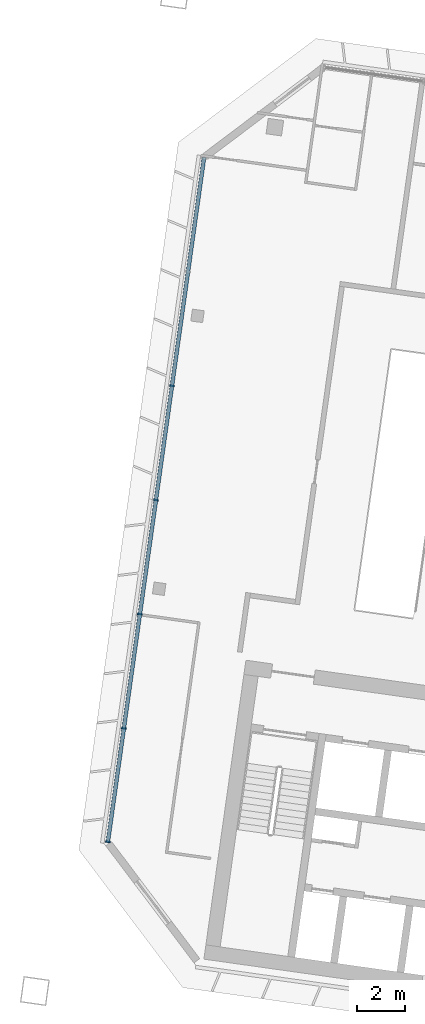
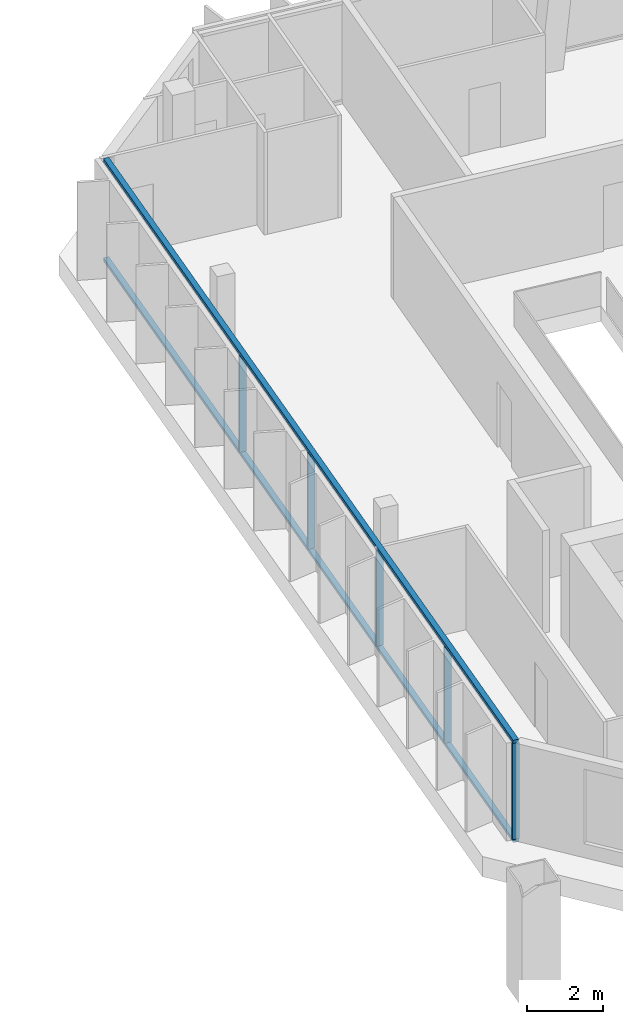
# One storey, part 2 of 25: 7 members, 1 element without a shape of its own.
"""IFC4 building model written with IfcOpenShell, lengths in metres."""

from ifc_helpers import new_model, si_unit, direction, frame, origin, origin_2d, place, context, subcontext, project, spatial, rectangle, extrude, material, material_profile, profile_set, type_object, element, aggregate, save


model = new_model("IFC4")

# Units and contexts
model_context = context("Model", 3, precision=1e-05, world=origin(), true_north=direction((0.0, 1.0)))
body_context = subcontext(model_context, "Body", "Model", "MODEL_VIEW")
ifc_project = project(units=[si_unit("LENGTHUNIT", "METRE"), si_unit("AREAUNIT", "SQUARE_METRE"), si_unit("VOLUMEUNIT", "CUBIC_METRE"), si_unit("PLANEANGLEUNIT", "RADIAN"), si_unit("MASSUNIT", "GRAM", prefix="KILO")], contexts=[model_context])

# Site, building, storey
site_placement = place(None, origin())
site = spatial("IfcSite", under=ifc_project, at=site_placement, CompositionType="ELEMENT")
building_placement = place(site_placement, origin())
building = spatial("IfcBuilding", under=site, at=building_placement, Name="Mirante Cascada Hotel Towers", CompositionType="ELEMENT")
storey_placement = place(building_placement, frame((0.0, 0.0, 266.0)))
storey = spatial("IfcBuildingStorey", under=building, at=storey_placement, Name="L64", CompositionType="ELEMENT", Elevation=266.0)

# Curtain wall, members
ifc_material_1 = material(Name="Aluminium mullion and transom frame with clear laminated glass", Category="aluminium")
curtain_wall_type = type_object("IfcCurtainWallType", Name="End ribbon curtain wall ECW2", PredefinedType="NOTDEFINED", material=ifc_material_1)
curtain_wall_placement = place(storey_placement, origin())
curtain_wall = element("IfcCurtainWall", 1, at=curtain_wall_placement, inside=storey, type_object=curtain_wall_type, Name="Outer end wall T1 L64", PredefinedType="NOTDEFINED")
ifc_material_2 = material(Name="Anodised aluminium extrusion", Category="aluminium")
ifc_material_profile_1 = material_profile(ifc_material_2, rectangle(XDim=0.2, YDim=0.065, at=origin_2d()), Name="ECW2 MULLION 65x200")
ifc_profile_set_1 = profile_set([ifc_material_profile_1], Name="Anodised aluminium extrusion")
member_type_1 = type_object("IfcMemberType", Name="ECW2 mullion 65x200", PredefinedType="MULLION", material=ifc_profile_set_1)
member_1_placement = place(storey_placement, frame((-58.5935, -12.5284, 0.1), z_axis=(0.0, 0.0, 1.0), x_axis=(-0.9902681, 0.1391731, 0.0)))
member_1 = element("IfcMember", 2, at=member_1_placement, type_object=member_type_1, Name="ECW2 mullion 1", PredefinedType="MULLION", context=body_context, shape_type="SweptSolid", body=[
    extrude(rectangle(XDim=0.2, YDim=0.065, at=origin_2d()), origin(), (0.0, 0.0, 1.0), 3.1),
])
member_2_placement = place(storey_placement, frame((-57.9283, -7.7948, 0.1), z_axis=(0.0, 0.0, 1.0), x_axis=(-0.9902681, 0.1391731, 0.0)))
member_2 = element("IfcMember", 3, at=member_2_placement, type_object=member_type_1, Name="ECW2 mullion 2", PredefinedType="MULLION", context=body_context, shape_type="SweptSolid", body=[
    extrude(rectangle(XDim=0.2, YDim=0.065, at=origin_2d()), origin(), (0.0, 0.0, 1.0), 3.1),
])
member_3_placement = place(storey_placement, frame((-57.2585, -3.029, 0.1), z_axis=(0.0, 0.0, 1.0), x_axis=(-0.9902681, 0.1391731, 0.0)))
member_3 = element("IfcMember", 4, at=member_3_placement, type_object=member_type_1, Name="ECW2 mullion 3", PredefinedType="MULLION", context=body_context, shape_type="SweptSolid", body=[
    extrude(rectangle(XDim=0.2, YDim=0.065, at=origin_2d()), origin(), (0.0, 0.0, 1.0), 3.1),
])
member_4_placement = place(storey_placement, frame((-56.5887, 1.7368, 0.1), z_axis=(0.0, 0.0, 1.0), x_axis=(-0.9902681, 0.1391731, 0.0)))
member_4 = element("IfcMember", 5, at=member_4_placement, type_object=member_type_1, Name="ECW2 mullion 4", PredefinedType="MULLION", context=body_context, shape_type="SweptSolid", body=[
    extrude(rectangle(XDim=0.2, YDim=0.065, at=origin_2d()), origin(), (0.0, 0.0, 1.0), 3.1),
])
member_5_placement = place(storey_placement, frame((-55.9189, 6.5026, 0.1), z_axis=(0.0, 0.0, 1.0), x_axis=(-0.9902681, 0.1391731, 0.0)))
member_5 = element("IfcMember", 6, at=member_5_placement, type_object=member_type_1, Name="ECW2 mullion 5", PredefinedType="MULLION", context=body_context, shape_type="SweptSolid", body=[
    extrude(rectangle(XDim=0.2, YDim=0.065, at=origin_2d()), origin(), (0.0, 0.0, 1.0), 3.1),
])
ifc_material_3 = material(Name="Anodised aluminium extrusion", Category="aluminium")
ifc_material_profile_2 = material_profile(ifc_material_3, rectangle(XDim=0.16, YDim=0.1, at=origin_2d()), Name="ECW2 TRANSOM 100x160")
ifc_profile_set_2 = profile_set([ifc_material_profile_2], Name="Anodised aluminium extrusion")
member_type_2 = type_object("IfcMemberType", Name="ECW2 transom 100x160", PredefinedType="USERDEFINED", material=ifc_profile_set_2)
member_6_placement = place(storey_placement, frame((-58.5981, -12.5606, 0.05), z_axis=(0.1391752, 0.9902678, 0.0), x_axis=(-0.9902678, 0.1391752, 0.0)))
member_6 = element("IfcMember", 7, at=member_6_placement, type_object=member_type_2, Name="ECW2 sill transom", ObjectType="TRANSOM", PredefinedType="USERDEFINED", context=body_context, shape_type="SweptSolid", body=[
    extrude(rectangle(XDim=0.16, YDim=0.1, at=origin_2d()), origin(), (0.0, 0.0, 1.0), 28.8758),
])
member_7_placement = place(storey_placement, frame((-58.5981, -12.5606, 3.25), z_axis=(0.1391752, 0.9902678, 0.0), x_axis=(-0.9902678, 0.1391752, 0.0)))
member_7 = element("IfcMember", 8, at=member_7_placement, type_object=member_type_2, Name="ECW2 head transom", ObjectType="TRANSOM", PredefinedType="USERDEFINED", context=body_context, shape_type="SweptSolid", body=[
    extrude(rectangle(XDim=0.16, YDim=0.1, at=origin_2d()), origin(), (0.0, 0.0, 1.0), 28.8758),
])
aggregate(curtain_wall, [member_6, member_7, member_1, member_2, member_3, member_4, member_5])

save(model, "model.ifc")
